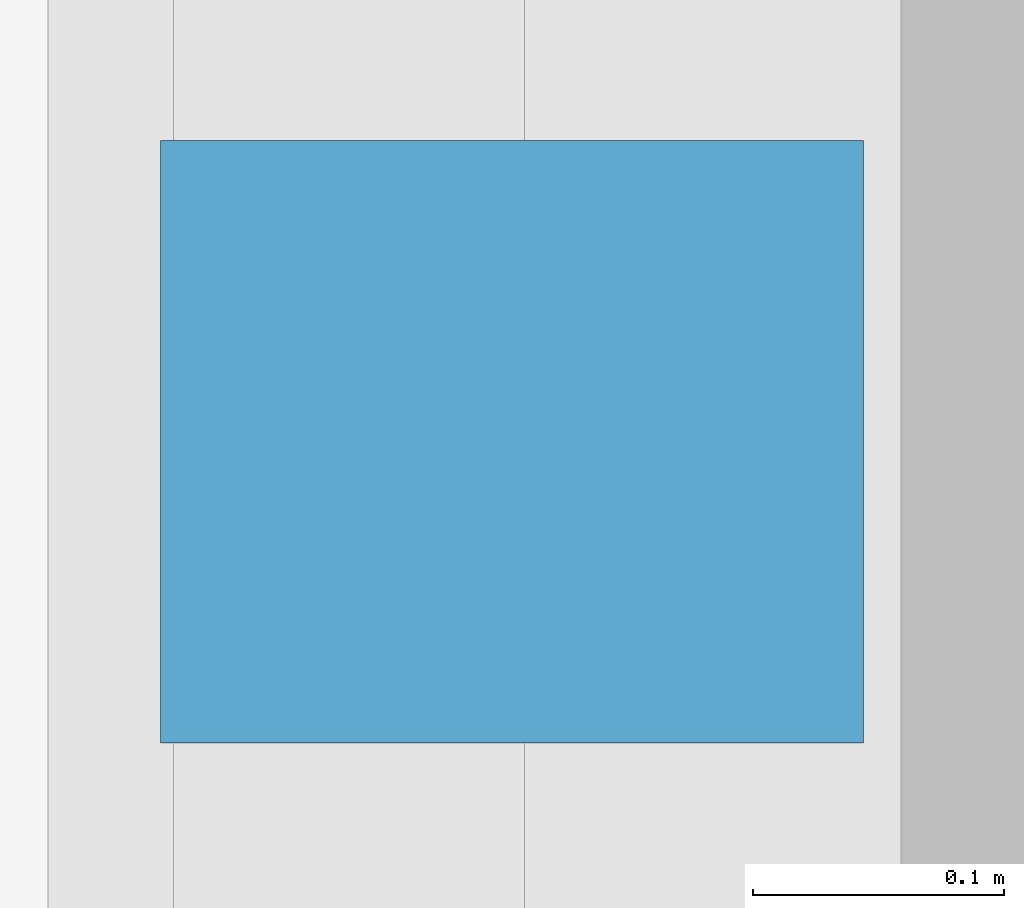
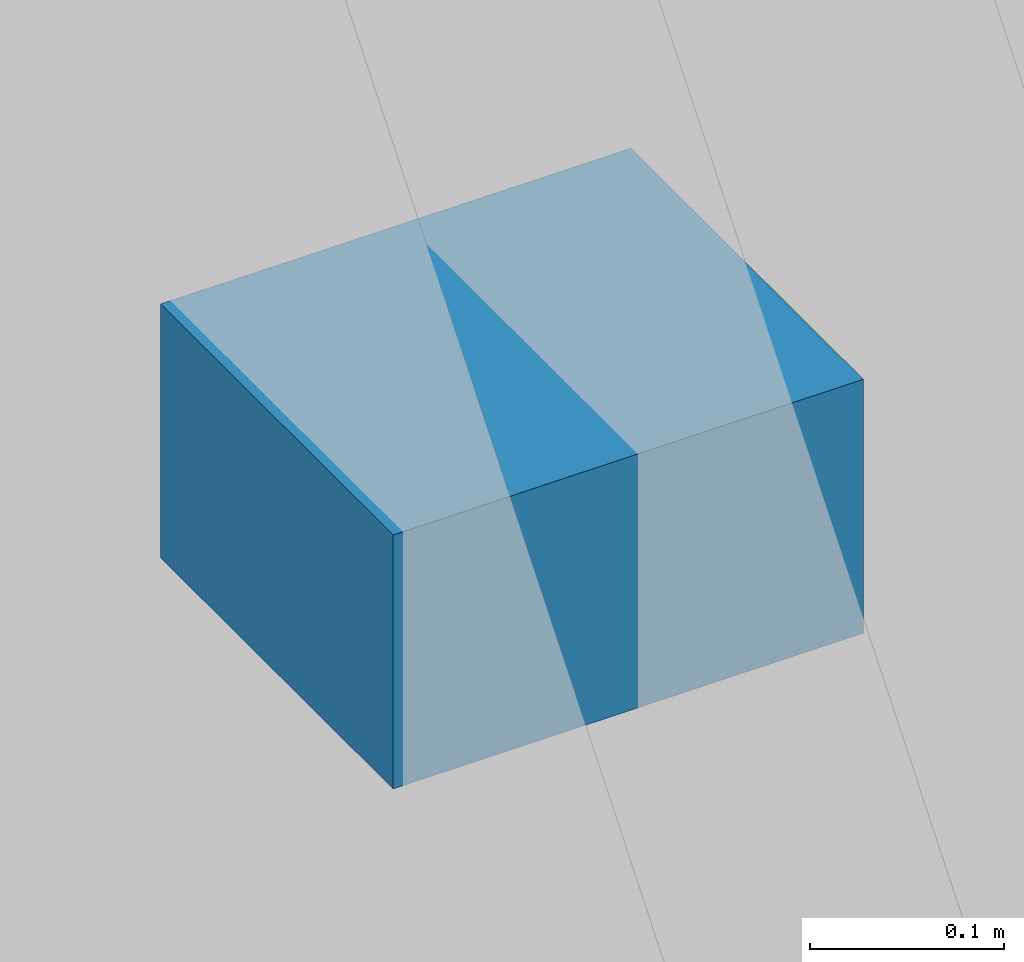
# One storey, part 63 of 80: 1 discrete accessory.
"""IFC4 building model written with IfcOpenShell, lengths in metres."""

from ifc_helpers import new_model, si_unit, direction, frame, origin, origin_2d, place, context, subcontext, project, spatial, rectangle, extrude, material, layer, layer_set, type_object, element, save


model = new_model("IFC4")

# Units and contexts
model_context = context("Model", 3, precision=1e-05, world=origin(), true_north=direction((0.0, 1.0)))
body_context = subcontext(model_context, "Body", "Model", "MODEL_VIEW")
ifc_project = project(units=[si_unit("LENGTHUNIT", "METRE"), si_unit("AREAUNIT", "SQUARE_METRE"), si_unit("VOLUMEUNIT", "CUBIC_METRE"), si_unit("PLANEANGLEUNIT", "RADIAN"), si_unit("MASSUNIT", "GRAM", prefix="KILO")], contexts=[model_context])

# Site, building, storey
site_placement = place(None, origin())
site = spatial("IfcSite", under=ifc_project, at=site_placement, CompositionType="ELEMENT")
building_placement = place(site_placement, origin())
building = spatial("IfcBuilding", under=site, at=building_placement, Name="Nabrawat Pavilion Hospital", CompositionType="ELEMENT")
storey_placement = place(building_placement, origin())
storey = spatial("IfcBuildingStorey", under=building, at=storey_placement, Name="L00", CompositionType="ELEMENT", Elevation=0.0)

# Discrete accessory
ifc_material = material(Name="Steel S355", Category="steel")
ifc_layer = layer(ifc_material, 0.159912109375, Name="Steel S355")
ifc_layer_set = layer_set([ifc_layer], Name="Steel S355")
discrete_accessory_type = type_object("IfcDiscreteAccessoryType", Name="Facade Shading Support Steel Bracket", PredefinedType="BRACKET", material=ifc_layer_set)
discrete_accessory_placement = place(storey_placement, frame((0.034912109375, 105.300048828125, 1.6201171875), z_axis=(0.0, 0.0, 1.0), x_axis=(0.0, 1.0, 0.0)))
element("IfcDiscreteAccessory", 1, at=discrete_accessory_placement, inside=storey, type_object=discrete_accessory_type, Name="L00 Facade Shading Bracket 003", PredefinedType="BRACKET", context=body_context, shape_type="SweptSolid", body=[
    extrude(rectangle(XDim=0.239990234375, YDim=0.280029296875, at=origin_2d()), origin(), (0.0, 0.0, 1.0), 0.159912109375),
])

save(model, "model.ifc")
